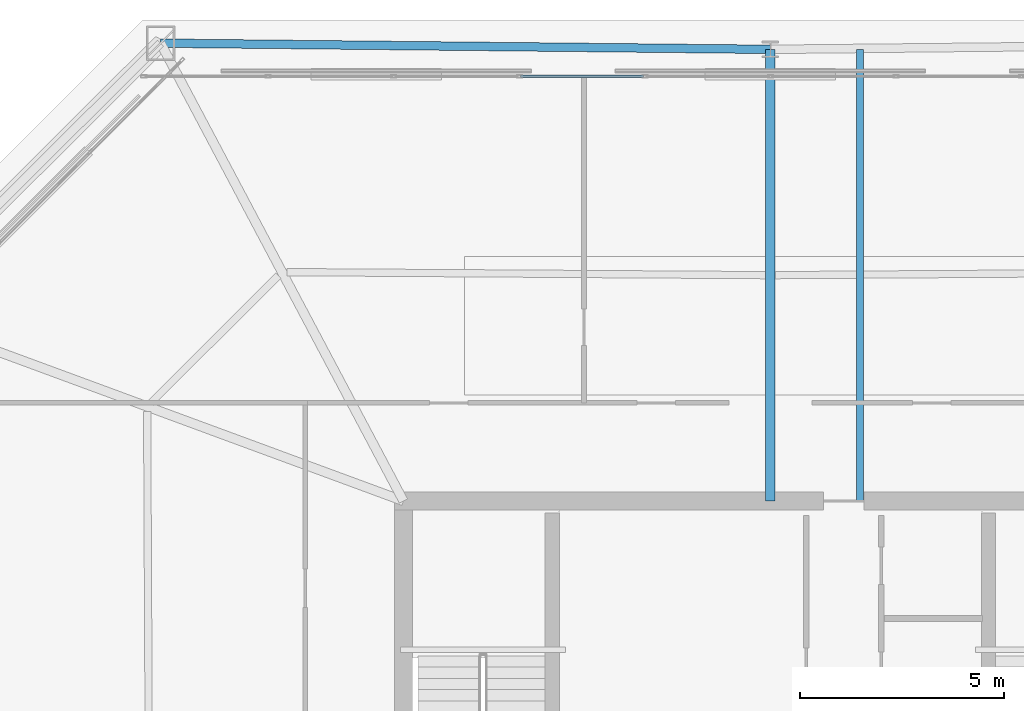
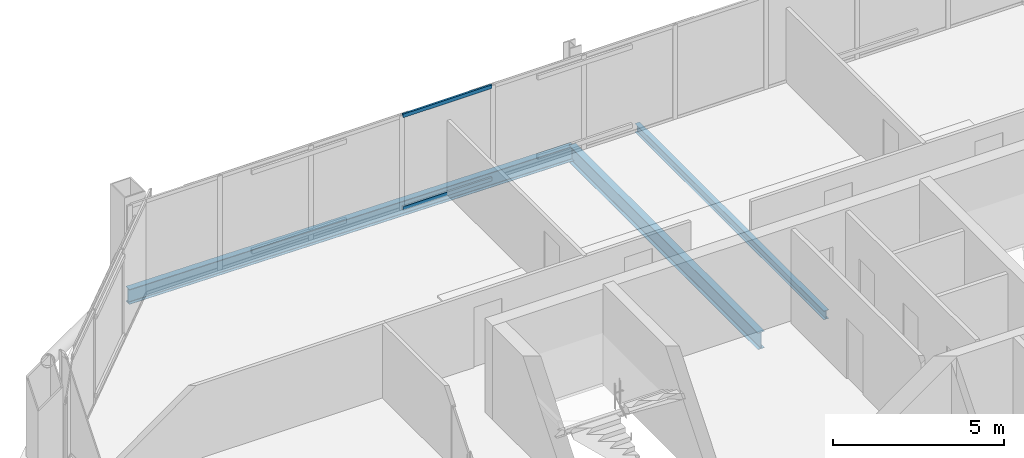
# One storey, part 29 of 39: 3 beams, 2 members, 1 element without a shape of its own.
"""IFC4 building model written with IfcOpenShell, lengths in metres."""

from ifc_helpers import new_model, si_unit, direction, frame, origin, origin_2d, place, context, subcontext, project, spatial, hollow_rectangle, i_section, extrude, material, layer, layer_set, material_profile, profile_set, type_object, element, aggregate, save


model = new_model("IFC4")

# Units and contexts
model_context = context("Model", 3, precision=1e-05, world=origin(), true_north=direction((0.0, 1.0)))
body_context = subcontext(model_context, "Body", "Model", "MODEL_VIEW")
ifc_project = project(units=[si_unit("LENGTHUNIT", "METRE"), si_unit("AREAUNIT", "SQUARE_METRE"), si_unit("VOLUMEUNIT", "CUBIC_METRE"), si_unit("PLANEANGLEUNIT", "RADIAN"), si_unit("MASSUNIT", "GRAM", prefix="KILO")], contexts=[model_context])

# Site, building, storey
site_placement = place(None, origin())
site = spatial("IfcSite", under=ifc_project, at=site_placement, CompositionType="ELEMENT")
building_placement = place(site_placement, origin())
building = spatial("IfcBuilding", under=site, at=building_placement, Name="Caelvoria Tower", CompositionType="ELEMENT")
storey_placement = place(building_placement, frame((0.0, 0.0, 198.60009765625)))
storey = spatial("IfcBuildingStorey", under=building, at=storey_placement, Name="L52", CompositionType="ELEMENT", Elevation=198.60009765625)

# Beam
ifc_material_1 = material(Name="Structural Steel ASTM A992 Gr.50", Category="steel")
ifc_material_profile_1 = material_profile(ifc_material_1, i_section(OverallWidth=0.166015625, OverallDepth=0.31298828125, WebThickness=0.006591796875, FlangeThickness=0.01123046875, FilletRadius=0.011962890625, at=origin_2d()), Name="Structural Steel ASTM A992 Gr.50")
ifc_profile_set_1 = profile_set([ifc_material_profile_1], Name="W310X44.5 - Structural Steel ASTM A992 Gr.50")
beam_type_1 = type_object("IfcBeamType", Name="Composite Floor Intermediate Joist W310X44.5", PredefinedType="JOIST", material=ifc_profile_set_1)
beam_1_placement = place(storey_placement, frame((48.199951171875, 40.0, -0.382080078125), z_axis=(0.0, 1.0, 0.0), x_axis=(-1.0, 0.0, 0.0)))
element("IfcBeam", 1, at=beam_1_placement, inside=storey, type_object=beam_type_1, Name="Intermediate Floor Joist L52 North", PredefinedType="JOIST", context=body_context, shape_type="SweptSolid", body=[
    extrude(i_section(OverallWidth=0.166015625, OverallDepth=0.31298828125, WebThickness=0.006591796875, FlangeThickness=0.01123046875, FilletRadius=0.011962890625, at=origin_2d()), origin(), (0.0, 0.0, 1.0), 11.080078125),
])

# Curtain wall, members
ifc_material_2 = material(Name="Anodised Bronze Aluminium and Low-E Glass", Category="aluminium")
ifc_layer = layer(ifc_material_2, 0.175048828125, Name="Anodised Bronze Aluminium and Low-E Glass")
ifc_layer_set = layer_set([ifc_layer], Name="CW System 4 High-Zone Tapered Crystal Facade - Anodised Bronze Aluminium and Low-E Glass")
curtain_wall_type = type_object("IfcCurtainWallType", Name="CW System 4 High-Zone Tapered Crystal Facade", PredefinedType="NOTDEFINED", material=ifc_layer_set)
curtain_wall_placement = place(storey_placement, origin())
curtain_wall = element("IfcCurtainWall", 2, at=curtain_wall_placement, inside=storey, type_object=curtain_wall_type, Name="CW-04 Curtain Wall L52-E4", PredefinedType="NOTDEFINED")
ifc_material_3 = material(Name="Anodised Bronze Architectural Aluminium", Category="aluminium")
ifc_material_profile_2 = material_profile(ifc_material_3, hollow_rectangle(XDim=0.06494140625, YDim=0.1298828125, WallThickness=0.00341796875, at=origin_2d()), Name="Anodised Bronze Architectural Aluminium")
ifc_profile_set_2 = profile_set([ifc_material_profile_2], Name="CW_TRAN_65X130 - Anodised Bronze Architectural Aluminium")
member_type = type_object("IfcMemberType", Name="Curtain Wall Transom 65x130 Bronze Aluminium", PredefinedType="USERDEFINED", material=ifc_profile_set_2)
member_1_placement = place(storey_placement, frame((42.887451171875, 50.419921875, 0.032470703125), z_axis=(-1.0, 0.0, 0.0), x_axis=(0.0, -1.0, 0.0)))
member_1 = element("IfcMember", 3, at=member_1_placement, type_object=member_type, Name="CW-04 transom 7.1", ObjectType="TRANSOM", PredefinedType="USERDEFINED", context=body_context, shape_type="SweptSolid", body=[
    extrude(hollow_rectangle(XDim=0.06494140625, YDim=0.1298828125, WallThickness=0.00341796875, at=origin_2d()), origin(), (0.0, 0.0, 1.0), 3.014892578125),
])
member_2_placement = place(storey_placement, frame((42.887451171875, 50.419921875, 3.34228515625), z_axis=(-1.0, 0.0, 0.0), x_axis=(0.0, -1.0, 0.0)))
member_2 = element("IfcMember", 4, at=member_2_placement, type_object=member_type, Name="CW-04 transom 7.2", ObjectType="TRANSOM", PredefinedType="USERDEFINED", context=body_context, shape_type="SweptSolid", body=[
    extrude(hollow_rectangle(XDim=0.06494140625, YDim=0.1298828125, WallThickness=0.00341796875, at=origin_2d()), origin(), (0.0, 0.0, 1.0), 3.014892578125),
])
aggregate(curtain_wall, [member_1, member_2])

# Beams
ifc_material_profile_3 = material_profile(ifc_material_1, i_section(OverallWidth=0.22802734375, OverallDepth=0.60302734375, WebThickness=0.010498046875, FlangeThickness=0.014892578125, FilletRadius=0.01806640625, at=origin_2d()), Name="Structural Steel ASTM A992 Gr.50")
ifc_profile_set_3 = profile_set([ifc_material_profile_3], Name="W610X101 - Structural Steel ASTM A992 Gr.50")
beam_type_2 = type_object("IfcBeamType", Name="Primary Floor Girder W610X101", PredefinedType="BEAM", material=ifc_profile_set_3)
beam_2_placement = place(storey_placement, frame((46.0, 40.0, -0.526611328125), z_axis=(0.0, 1.0, 0.0), x_axis=(-1.0, 0.0, 0.0)))
element("IfcBeam", 5, at=beam_2_placement, inside=storey, type_object=beam_type_2, Name="Primary Floor Girder L52-07", PredefinedType="BEAM", context=body_context, shape_type="SweptSolid", body=[
    extrude(i_section(OverallWidth=0.22802734375, OverallDepth=0.60302734375, WebThickness=0.010498046875, FlangeThickness=0.014892578125, FilletRadius=0.01806640625, at=origin_2d()), origin(), (0.0, 0.0, 1.0), 11.080078125),
])
ifc_material_profile_4 = material_profile(ifc_material_1, i_section(OverallWidth=0.208984375, OverallDepth=0.532958984375, WebThickness=0.01025390625, FlangeThickness=0.015625, FilletRadius=0.01611328125, at=origin_2d()), Name="Structural Steel ASTM A992 Gr.50")
ifc_profile_set_4 = profile_set([ifc_material_profile_4], Name="W530X92 - Structural Steel ASTM A992 Gr.50")
beam_type_3 = type_object("IfcBeamType", Name="Upper Zone Spandrel W530X92", PredefinedType="BEAM", material=ifc_profile_set_4)
beam_3_placement = place(storey_placement, frame((46.0, 51.080078125, -0.49169921875), z_axis=(-0.999948636769, 0.01013527622, 0.0), x_axis=(-0.01013527622, -0.999948636769, 0.0)))
element("IfcBeam", 6, at=beam_3_placement, inside=storey, type_object=beam_type_3, Name="Perimeter Spandrel Girder L52-07", PredefinedType="BEAM", context=body_context, shape_type="SweptSolid", body=[
    extrude(i_section(OverallWidth=0.208984375, OverallDepth=0.532958984375, WebThickness=0.01025390625, FlangeThickness=0.015625, FilletRadius=0.01611328125, at=origin_2d()), origin(), (0.0, 0.0, 1.0), 14.958740234375),
])

save(model, "model.ifc")
